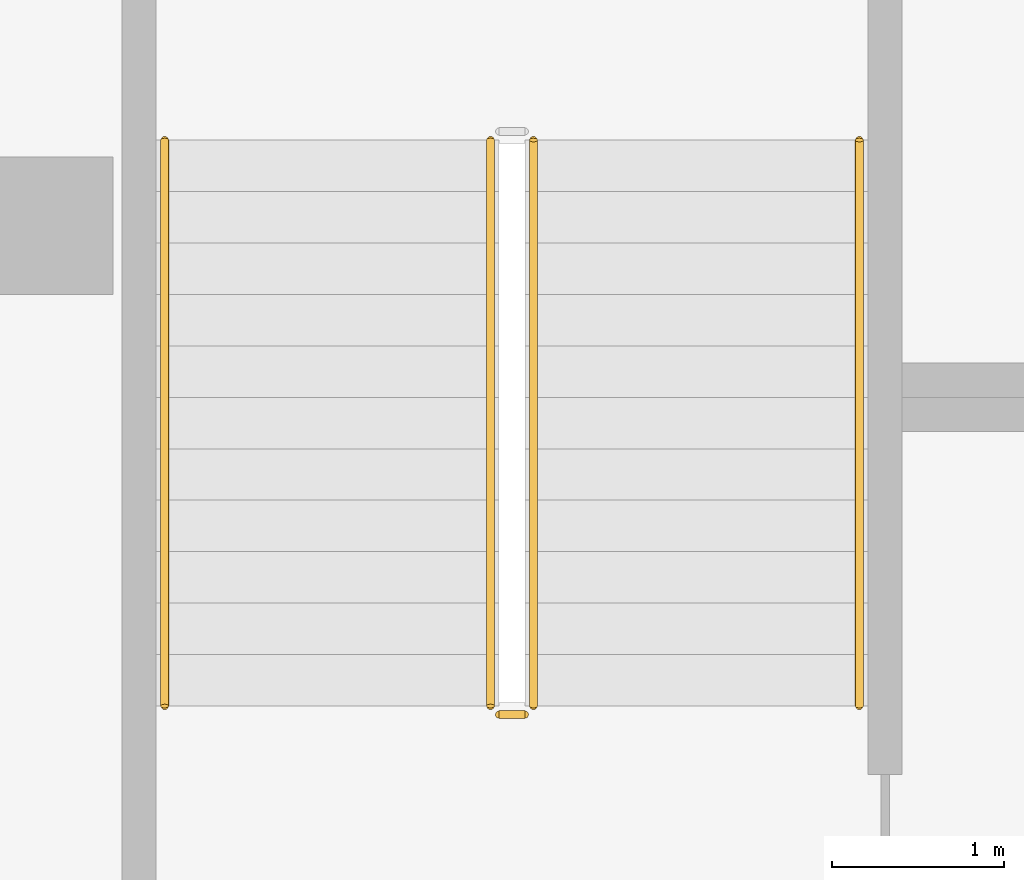
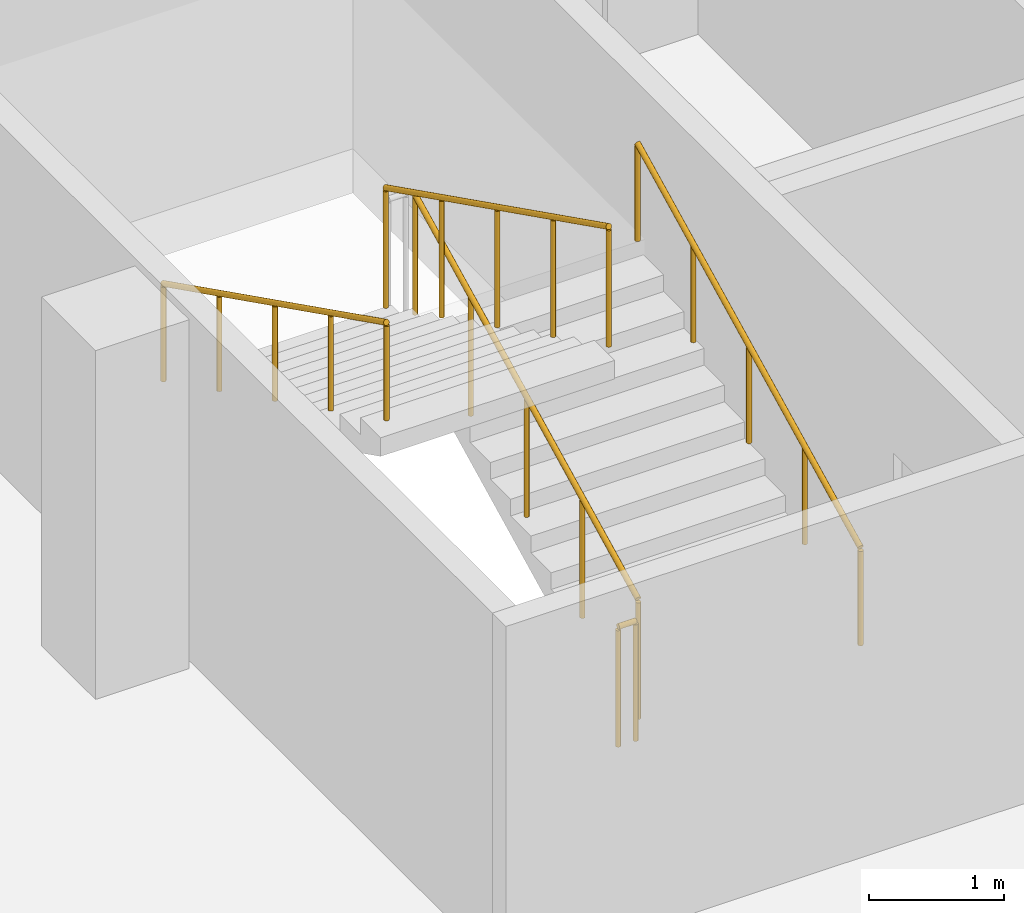
# One storey, part 26 of 37: 5 railings.
"""IFC4 building model written with IfcOpenShell, lengths in metres."""

from ifc_helpers import new_model, si_unit, direction, frame, origin, origin_2d, place, context, subcontext, project, spatial, circle, extrude, material, type_object, element, save


model = new_model("IFC4")

# Units and contexts
model_context = context("Model", 3, precision=1e-05, world=origin(), true_north=direction((0.0, 1.0)))
body_context = subcontext(model_context, "Body", "Model", "MODEL_VIEW")
ifc_project = project(units=[si_unit("LENGTHUNIT", "METRE"), si_unit("AREAUNIT", "SQUARE_METRE"), si_unit("VOLUMEUNIT", "CUBIC_METRE"), si_unit("PLANEANGLEUNIT", "RADIAN"), si_unit("MASSUNIT", "GRAM", prefix="KILO")], contexts=[model_context])

# Site, building, storey
site_placement = place(None, origin())
site = spatial("IfcSite", under=ifc_project, at=site_placement, CompositionType="ELEMENT")
building_placement = place(site_placement, origin())
building = spatial("IfcBuilding", under=site, at=building_placement, Name="Tamra Quay Hotel Tower", CompositionType="ELEMENT")
storey_placement = place(building_placement, frame((0.0, 0.0, -3.60009765625)))
storey = spatial("IfcBuildingStorey", under=building, at=storey_placement, Name="B1", CompositionType="ELEMENT", Elevation=-3.60009765625)

# Railings
ifc_material_1 = material(Name="Basement stair guard 1100")
railing_type_1 = type_object("IfcRailingType", Name="Basement stair guard 1100", PredefinedType="GUARDRAIL", material=ifc_material_1)
railing_1_placement = place(storey_placement, frame((-61.050048828125, 45.199951171875, 0.150146484375)))
element("IfcRailing", 1, at=railing_1_placement, inside=storey, type_object=railing_type_1, Name="BSG", PredefinedType="GUARDRAIL", context=body_context, shape_type="SweptSolid", body=[
    extrude(circle(Radius=0.02392578125, at=origin_2d()), frame((0.0, 0.0, 1.076171875), z_axis=(0.0, 0.894440424912, 0.447187126696), x_axis=(-1.0, 0.0, 0.0)), (0.0, 0.0, 1.0), 3.689453125),
    extrude(circle(Radius=0.02099609375, at=origin_2d()), origin(), (0.0, 0.0, 1.0), 1.052001953125),
    extrude(circle(Radius=0.02099609375, at=origin_2d()), frame((0.0, 0.824951171875, 0.41259765625)), (0.0, 0.0, 1.0), 1.052001953125),
    extrude(circle(Radius=0.02099609375, at=origin_2d()), frame((0.0, 1.64990234375, 0.824951171875)), (0.0, 0.0, 1.0), 1.052001953125),
    extrude(circle(Radius=0.02099609375, at=origin_2d()), frame((0.0, 2.47509765625, 1.2373046875)), (0.0, 0.0, 1.0), 1.052001953125),
    extrude(circle(Radius=0.02099609375, at=origin_2d()), frame((0.0, 3.300048828125, 1.64990234375)), (0.0, 0.0, 1.0), 1.052001953125),
])
railing_2_placement = place(storey_placement, frame((-61.300048828125, 48.5, 1.9501953125)))
element("IfcRailing", 2, at=railing_2_placement, inside=storey, type_object=railing_type_1, Name="BSG", PredefinedType="GUARDRAIL", context=body_context, shape_type="SweptSolid", body=[
    extrude(circle(Radius=0.02392578125, at=origin_2d()), frame((0.0, 0.0, 1.076171875), z_axis=(0.0, -0.894440424912, 0.447187126696), x_axis=(1.0, 0.0, 0.0)), (0.0, 0.0, 1.0), 3.689453125),
    extrude(circle(Radius=0.02099609375, at=origin_2d()), origin(), (0.0, 0.0, 1.0), 1.052001953125),
    extrude(circle(Radius=0.02099609375, at=origin_2d()), frame((0.0, -0.824951171875, 0.41259765625)), (0.0, 0.0, 1.0), 1.052001953125),
    extrude(circle(Radius=0.02099609375, at=origin_2d()), frame((0.0, -1.64990234375, 0.824951171875)), (0.0, 0.0, 1.0), 1.052001953125),
    extrude(circle(Radius=0.02099609375, at=origin_2d()), frame((0.0, -2.47509765625, 1.2373046875)), (0.0, 0.0, 1.0), 1.052001953125),
    extrude(circle(Radius=0.02099609375, at=origin_2d()), frame((0.0, -3.300048828125, 1.64990234375)), (0.0, 0.0, 1.0), 1.052001953125),
])
railing_3_placement = place(storey_placement, frame((-61.10009765625, 45.14990234375, 0.0)))
element("IfcRailing", 3, at=railing_3_placement, inside=storey, type_object=railing_type_1, Name="BSG", PredefinedType="GUARDRAIL", context=body_context, shape_type="SweptSolid", body=[
    extrude(circle(Radius=0.02392578125, at=origin_2d()), frame((0.0, 0.0, 1.076171875), z_axis=(-1.0, 0.0, 0.0), x_axis=(0.0, -1.0, 0.0)), (0.0, 0.0, 1.0), 0.14990234375),
    extrude(circle(Radius=0.02099609375, at=origin_2d()), origin(), (0.0, 0.0, 1.0), 1.052001953125),
    extrude(circle(Radius=0.02099609375, at=origin_2d()), frame((-0.14990234375, 0.0, 0.0)), (0.0, 0.0, 1.0), 1.052001953125),
])
ifc_material_2 = material(Name="Basement stair handrail 900")
railing_type_2 = type_object("IfcRailingType", Name="Basement stair handrail 900", PredefinedType="HANDRAIL", material=ifc_material_2)
railing_4_placement = place(storey_placement, frame((-59.14990234375, 45.199951171875, 0.150146484375)))
element("IfcRailing", 4, at=railing_4_placement, inside=storey, type_object=railing_type_2, Name="BSH", PredefinedType="HANDRAIL", context=body_context, shape_type="SweptSolid", body=[
    extrude(circle(Radius=0.02392578125, at=origin_2d()), frame((0.0, 0.0, 0.8759765625), z_axis=(0.0, 0.894440424912, 0.447187126696), x_axis=(-1.0, 0.0, 0.0)), (0.0, 0.0, 1.0), 3.689453125),
    extrude(circle(Radius=0.02099609375, at=origin_2d()), origin(), (0.0, 0.0, 1.0), 0.851806640625),
    extrude(circle(Radius=0.02099609375, at=origin_2d()), frame((0.0, 0.824951171875, 0.41259765625)), (0.0, 0.0, 1.0), 0.851806640625),
    extrude(circle(Radius=0.02099609375, at=origin_2d()), frame((0.0, 1.64990234375, 0.824951171875)), (0.0, 0.0, 1.0), 0.851806640625),
    extrude(circle(Radius=0.02099609375, at=origin_2d()), frame((0.0, 2.47509765625, 1.2373046875)), (0.0, 0.0, 1.0), 0.851806640625),
    extrude(circle(Radius=0.02099609375, at=origin_2d()), frame((0.0, 3.300048828125, 1.64990234375)), (0.0, 0.0, 1.0), 0.851806640625),
])
railing_5_placement = place(storey_placement, frame((-63.199951171875, 48.5, 1.9501953125)))
element("IfcRailing", 5, at=railing_5_placement, inside=storey, type_object=railing_type_2, Name="BSH", PredefinedType="HANDRAIL", context=body_context, shape_type="SweptSolid", body=[
    extrude(circle(Radius=0.02392578125, at=origin_2d()), frame((0.0, 0.0, 0.8759765625), z_axis=(0.0, -0.894440424912, 0.447187126696), x_axis=(1.0, 0.0, 0.0)), (0.0, 0.0, 1.0), 3.689453125),
    extrude(circle(Radius=0.02099609375, at=origin_2d()), origin(), (0.0, 0.0, 1.0), 0.851806640625),
    extrude(circle(Radius=0.02099609375, at=origin_2d()), frame((0.0, -0.824951171875, 0.41259765625)), (0.0, 0.0, 1.0), 0.851806640625),
    extrude(circle(Radius=0.02099609375, at=origin_2d()), frame((0.0, -1.64990234375, 0.824951171875)), (0.0, 0.0, 1.0), 0.851806640625),
    extrude(circle(Radius=0.02099609375, at=origin_2d()), frame((0.0, -2.47509765625, 1.2373046875)), (0.0, 0.0, 1.0), 0.851806640625),
    extrude(circle(Radius=0.02099609375, at=origin_2d()), frame((0.0, -3.300048828125, 1.64990234375)), (0.0, 0.0, 1.0), 0.851806640625),
])

save(model, "model.ifc")
